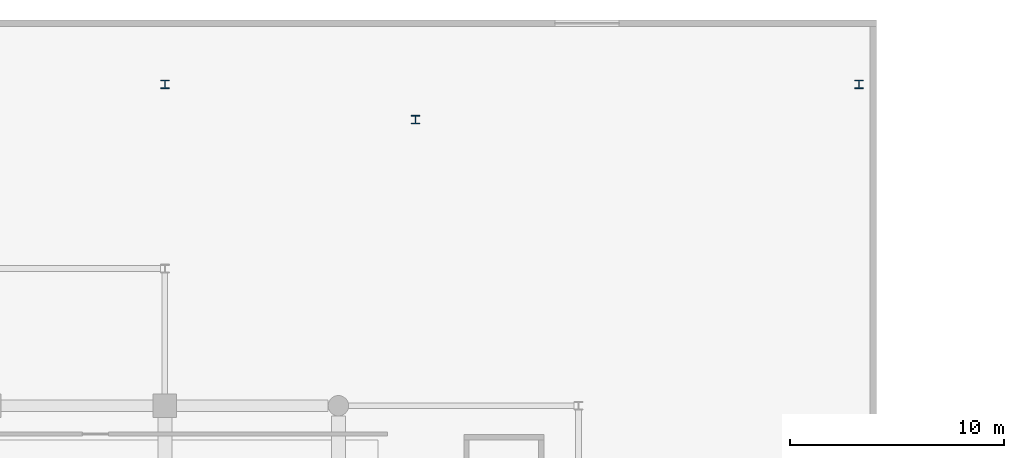
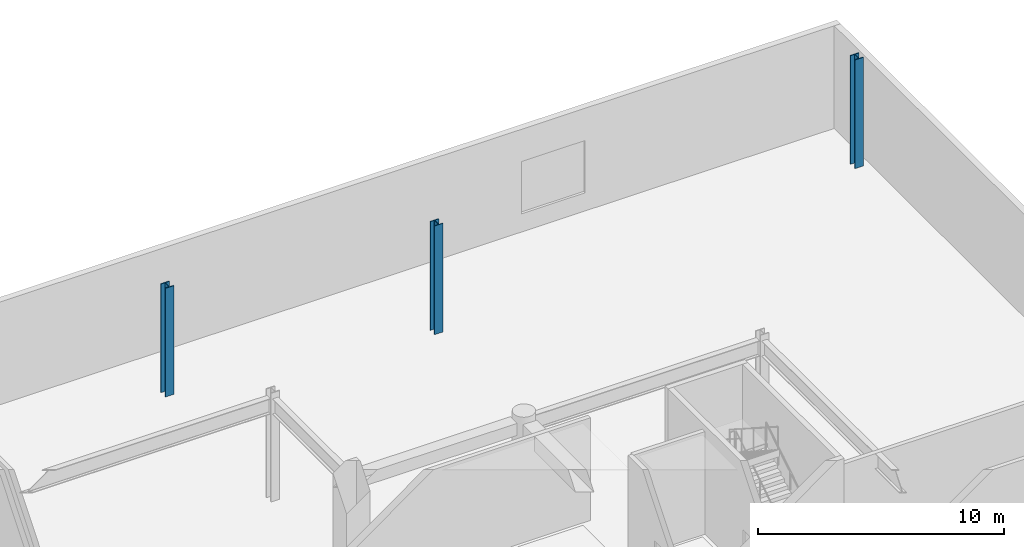
# One storey, part 10 of 46: 3 columns.
"""IFC4 building model written with IfcOpenShell, lengths in metres."""

from ifc_helpers import new_model, si_unit, direction, frame, origin, origin_2d, place, context, subcontext, project, spatial, i_section, extrude, material, material_profile, profile_set, type_object, element, save


model = new_model("IFC4")

# Units and contexts
model_context = context("Model", 3, precision=1e-05, world=origin(), true_north=direction((0.0, 1.0)))
body_context = subcontext(model_context, "Body", "Model", "MODEL_VIEW")
ifc_project = project(units=[si_unit("LENGTHUNIT", "METRE"), si_unit("AREAUNIT", "SQUARE_METRE"), si_unit("VOLUMEUNIT", "CUBIC_METRE"), si_unit("PLANEANGLEUNIT", "RADIAN"), si_unit("MASSUNIT", "GRAM", prefix="KILO")], contexts=[model_context])

# Site, building, storey
site_placement = place(None, origin())
site = spatial("IfcSite", under=ifc_project, at=site_placement, CompositionType="ELEMENT")
building_placement = place(site_placement, origin())
building = spatial("IfcBuilding", under=site, at=building_placement, Name="Korimba Cascade Residences", CompositionType="ELEMENT")
storey_placement = place(building_placement, origin())
storey = spatial("IfcBuildingStorey", under=building, at=storey_placement, Name="L00", CompositionType="ELEMENT", Elevation=0.0)

# Columns
ifc_material = material(Name="Steel S355", Category="steel")
ifc_material_profile = material_profile(ifc_material, i_section(OverallWidth=0.39892578125, OverallDepth=0.3935546875, WebThickness=0.022705078125, FlangeThickness=0.03662109375, FilletRadius=0.01513671875, at=origin_2d()), Name="Steel S355")
ifc_profile_set = profile_set([ifc_material_profile], Name="Steel S355")
column_type = type_object("IfcColumnType", Name="COL-STL-UC287", PredefinedType="COLUMN", material=ifc_profile_set)
for number, where, z_axis, x_axis, name in (
    (1, (132.0, 104.550048828125, 0.0), (0.0, 0.0, 1.0), (1.0, 0.0, 0.0), "L00 Podium Column PTN4"),
    (2, (152.699951171875, 106.199951171875, 0.0), (0.0, 0.0, 1.0), (1.0, 0.0, 0.0), "L00 Podium Column PLE6"),
    (3, (120.300048828125, 106.199951171875, 0.0), (0.0, 0.0, 1.0), (1.0, 0.0, 0.0), "L00 Podium Column PLN3"),
):
    element("IfcColumn", number, at=place(storey_placement, frame(where, z_axis=z_axis, x_axis=x_axis)), inside=storey, type_object=column_type, Name=name, PredefinedType="COLUMN", context=body_context, shape_type="SweptSolid", body=[
        extrude(i_section(OverallWidth=0.39892578125, OverallDepth=0.3935546875, WebThickness=0.022705078125, FlangeThickness=0.03662109375, FilletRadius=0.01513671875, at=origin_2d()), origin(), (0.0, 0.0, 1.0), 5.39990234375),
    ])

save(model, "model.ifc")
